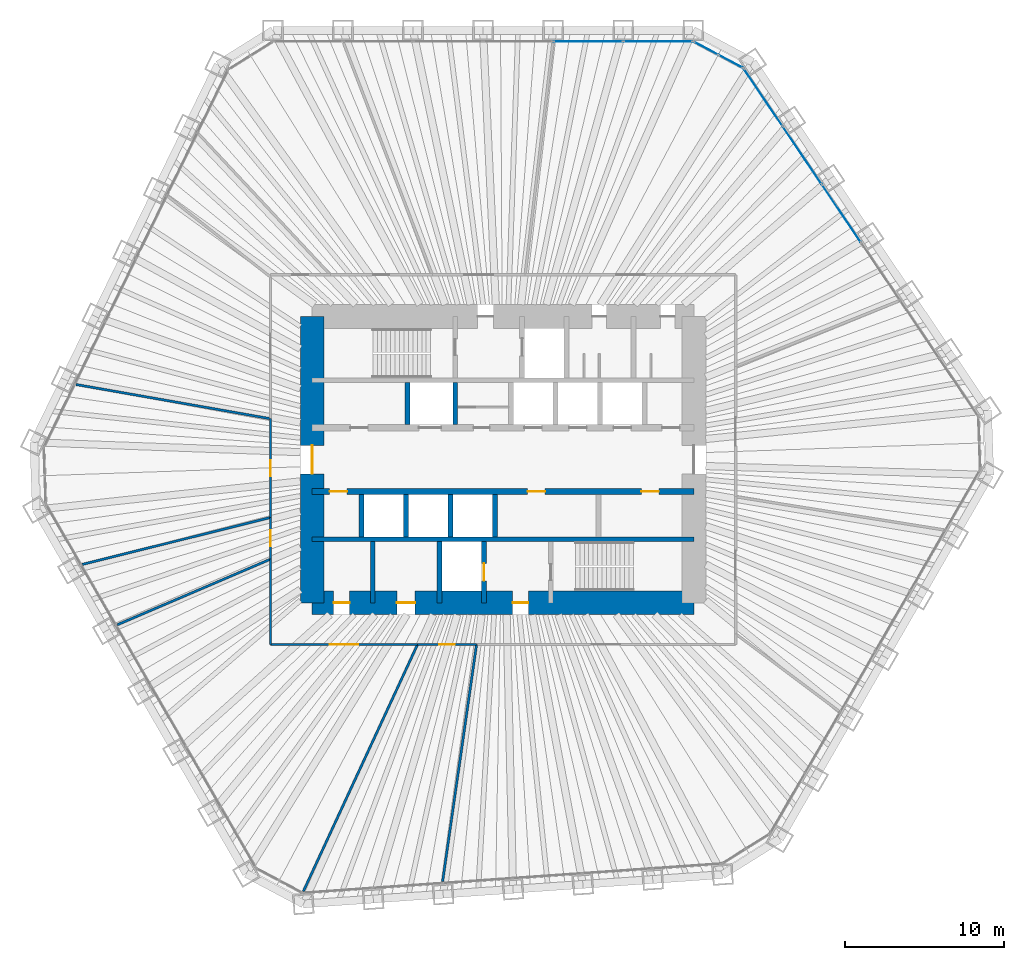
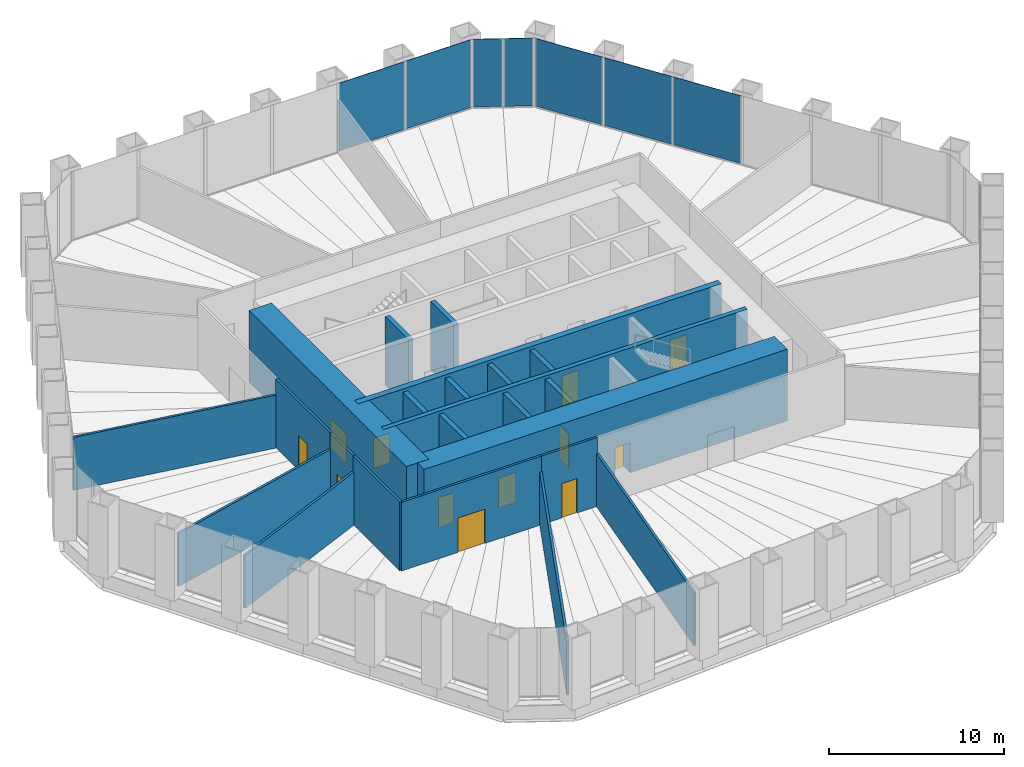
# One storey, part 10 of 13: 23 walls, 12 doors, 7 plates, 12 openings, 3 elements without a shape of their own.
"""IFC4 building model written with IfcOpenShell, lengths in metres."""

from ifc_helpers import new_model, si_unit, direction, frame, frame_2d, origin, origin_2d, place, context, subcontext, project, spatial, rectangle, extrude, material, layer, layer_set, type_object, element, fill, aggregate, save


model = new_model("IFC4")

# Units and contexts
model_context = context("Model", 3, precision=1e-05, world=origin(), true_north=direction((0.0, 1.0)))
body_context = subcontext(model_context, "Body", "Model", "MODEL_VIEW")
ifc_project = project(units=[si_unit("LENGTHUNIT", "METRE"), si_unit("AREAUNIT", "SQUARE_METRE"), si_unit("VOLUMEUNIT", "CUBIC_METRE"), si_unit("PLANEANGLEUNIT", "RADIAN"), si_unit("MASSUNIT", "GRAM", prefix="KILO")], contexts=[model_context])

# Site, building, storey
site_placement = place(None, origin())
site = spatial("IfcSite", under=ifc_project, at=site_placement, CompositionType="ELEMENT")
building_placement = place(site_placement, origin())
building = spatial("IfcBuilding", under=site, at=building_placement, Name="Qingtian Harvest Tower", CompositionType="ELEMENT")
storey_placement = place(building_placement, frame((0.0, 0.0, 37.0)))
storey = spatial("IfcBuildingStorey", under=building, at=storey_placement, Name="L07", CompositionType="ELEMENT", Elevation=37.0)

# Curtain wall, plates
ifc_material_1 = material(Name="Bronze-anodised aluminium curtain wall", Category="aluminium")
curtain_wall_type = type_object("IfcCurtainWallType", Name="Curtain wall CW2 farm reception", PredefinedType="USERDEFINED", material=ifc_material_1)
curtain_wall_1_placement = place(storey_placement, origin())
curtain_wall_1 = element("IfcCurtainWall", 1, at=curtain_wall_1_placement, inside=storey, type_object=curtain_wall_type, Name="Curtain wall CW2 L07 N0-5", ObjectType="RECESSED CURTAIN WALL", PredefinedType="USERDEFINED")
ifc_material_2 = material(Name="Bronze-tinted laminated insulating glass", Category="glass")
ifc_layer_1 = layer(ifc_material_2, 0.030029296875)
ifc_layer_set_1 = layer_set([ifc_layer_1], Name="Glazed panel CWP tinted IGU")
plate_type = type_object("IfcPlateType", Name="Glazed panel CWP tinted IGU", PredefinedType="CURTAIN_PANEL", material=ifc_layer_set_1)
plate_1_placement = place(storey_placement, frame((5.349365234375, 26.300048828125, 0.06494140625), z_axis=(0.0, 0.0, 1.0), x_axis=(1.0, 0.0, 0.0)))
plate_1 = element("IfcPlate", 2, at=plate_1_placement, type_object=plate_type, Name="CW2 panel 5.1", PredefinedType="CURTAIN_PANEL", context=body_context, shape_type="SweptSolid", body=[
    extrude(rectangle(XDim=4.339599609375, YDim=0.030029296875, at=origin_2d()), origin(), (0.0, 0.0, 1.0), 4.735107421875),
])
plate_2_placement = place(storey_placement, frame((9.737548828125, 26.300048828125, 0.06494140625), z_axis=(0.0, 0.0, 1.0), x_axis=(1.0, 0.0, 0.0)))
plate_2 = element("IfcPlate", 3, at=plate_2_placement, type_object=plate_type, Name="CW2 panel 6.1", PredefinedType="CURTAIN_PANEL", context=body_context, shape_type="SweptSolid", body=[
    extrude(rectangle(XDim=4.30712890625, YDim=0.030029296875, at=origin_2d()), origin(), (0.0, 0.0, 1.0), 4.735107421875),
])
aggregate(curtain_wall_1, [plate_1, plate_2])

curtain_wall_2_placement = place(storey_placement, origin())
curtain_wall_2 = element("IfcCurtainWall", 4, at=curtain_wall_2_placement, inside=storey, type_object=curtain_wall_type, Name="Curtain wall CW2 L07 NC", ObjectType="RECESSED CURTAIN WALL", PredefinedType="USERDEFINED")
plate_3_placement = place(storey_placement, frame((12.760986328125, 25.8720703125, 0.06494140625), z_axis=(0.0, 0.0, 1.0), x_axis=(0.882947592859, -0.469471562786, 0.0)))
plate_3 = element("IfcPlate", 5, at=plate_3_placement, type_object=plate_type, Name="CW2 panel 1.1", PredefinedType="CURTAIN_PANEL", context=body_context, shape_type="SweptSolid", body=[
    extrude(rectangle(XDim=1.69287109375, YDim=0.030029296875, at=origin_2d()), origin(), (0.0, 0.0, 1.0), 4.735107421875),
])
plate_4_placement = place(storey_placement, frame((14.31298828125, 25.046875, 0.06494140625), z_axis=(0.0, 0.0, 1.0), x_axis=(0.882947592859, -0.469471562786, 0.0)))
plate_4 = element("IfcPlate", 6, at=plate_4_placement, type_object=plate_type, Name="CW2 panel 2.1", PredefinedType="CURTAIN_PANEL", context=body_context, shape_type="SweptSolid", body=[
    extrude(rectangle(XDim=1.69287109375, YDim=0.030029296875, at=origin_2d()), origin(), (0.0, 0.0, 1.0), 4.735107421875),
])
aggregate(curtain_wall_2, [plate_3, plate_4])

curtain_wall_3_placement = place(storey_placement, origin())
curtain_wall_3 = element("IfcCurtainWall", 7, at=curtain_wall_3_placement, inside=storey, type_object=curtain_wall_type, Name="Curtain wall CW2 L07 NE0-5", ObjectType="RECESSED CURTAIN WALL", PredefinedType="USERDEFINED")
plate_5_placement = place(storey_placement, frame((16.3583984375, 22.779541015625, 0.06494140625), z_axis=(0.0, 0.0, 1.0), x_axis=(0.559192903471, -0.829037572555, 0.0)))
plate_5 = element("IfcPlate", 8, at=plate_5_placement, type_object=plate_type, Name="CW2 panel 1.1", PredefinedType="CURTAIN_PANEL", context=body_context, shape_type="SweptSolid", body=[
    extrude(rectangle(XDim=4.30712890625, YDim=0.030029296875, at=origin_2d()), origin(), (0.0, 0.0, 1.0), 4.735107421875),
])
plate_6_placement = place(storey_placement, frame((18.8125, 19.1416015625, 0.06494140625), z_axis=(0.0, 0.0, 1.0), x_axis=(0.559192903471, -0.829037572555, 0.0)))
plate_6 = element("IfcPlate", 9, at=plate_6_placement, type_object=plate_type, Name="CW2 panel 2.1", PredefinedType="CURTAIN_PANEL", context=body_context, shape_type="SweptSolid", body=[
    extrude(rectangle(XDim=4.339599609375, YDim=0.030029296875, at=origin_2d()), origin(), (0.0, 0.0, 1.0), 4.735107421875),
])
plate_7_placement = place(storey_placement, frame((21.275390625, 15.489990234375, 0.06494140625), z_axis=(0.0, 0.0, 1.0), x_axis=(0.559192903471, -0.829037572555, 0.0)))
plate_7 = element("IfcPlate", 10, at=plate_7_placement, type_object=plate_type, Name="CW2 panel 3.1", PredefinedType="CURTAIN_PANEL", context=body_context, shape_type="SweptSolid", body=[
    extrude(rectangle(XDim=4.339599609375, YDim=0.030029296875, at=origin_2d()), origin(), (0.0, 0.0, 1.0), 4.735107421875),
])
aggregate(curtain_wall_3, [plate_5, plate_6, plate_7])

# Wall
ifc_material_3 = material(Name="Concrete fc' 70 MPa", Category="concrete")
ifc_layer_2 = layer(ifc_material_3, 0.300048828125)
ifc_layer_set_2 = layer_set([ifc_layer_2], Name="Core inner wall RC5 300")
wall_type_1 = type_object("IfcWallType", Name="Core inner wall RC5 300", PredefinedType="SHEAR", material=ifc_layer_set_2)
wall_1_placement = place(storey_placement, frame((-12.0, -5.0, 0.0), z_axis=(0.0, 0.0, 1.0), x_axis=(1.0, 0.0, 0.0)))
element("IfcWall", 11, at=wall_1_placement, inside=storey, type_object=wall_type_1, Name="Core wall IS5 L07", PredefinedType="SHEAR", context=body_context, shape_type="SweptSolid", body=[
    extrude(rectangle(XDim=24.0, YDim=0.300048828125, at=frame_2d((12.0, 0.0))), origin(), (0.0, 0.0, 1.0), 5.0),
])

# Wall, openings, doors
ifc_material_4 = material(Name="Concrete fc' 70 MPa", Category="concrete")
ifc_layer_3 = layer(ifc_material_4, 0.39990234375)
ifc_layer_set_3 = layer_set([ifc_layer_3], Name="Core inner web RC6 400")
wall_type_2 = type_object("IfcWallType", Name="Core inner web RC6 400", PredefinedType="SHEAR", material=ifc_layer_set_3)
wall_2_placement = place(storey_placement, frame((-12.0, -2.0, 0.0), z_axis=(0.0, 0.0, 1.0), x_axis=(1.0, 0.0, 0.0)))
wall_2 = element("IfcWall", 12, at=wall_2_placement, inside=storey, type_object=wall_type_2, Name="Core wall IS2 L07", PredefinedType="SHEAR", context=body_context, shape_type="SweptSolid", body=[
    extrude(rectangle(XDim=24.0, YDim=0.39990234375, at=frame_2d((12.0, 0.0))), origin(), (0.0, 0.0, 1.0), 5.0),
])
opening_1_placement = place(wall_2_placement, frame((1.10009765625, 0.0, 0.0)))
opening_1 = element("IfcOpeningElement", 13, at=opening_1_placement, cuts=wall_2, Name="Opening FD4", PredefinedType="OPENING", context=body_context, shape_type="SweptSolid", body=[
    extrude(rectangle(XDim=1.10009765625, YDim=2.10009765625, at=frame_2d((0.550048828125, 1.050048828125))), frame((0.0, 0.2099609375, 0.0), z_axis=(0.0, -1.0, 0.0), x_axis=(1.0, 0.0, 0.0)), (0.0, 0.0, 1.0), 0.419921875),
])
opening_2_placement = place(wall_2_placement, frame((13.550048828125, 0.0, 0.0)))
opening_2 = element("IfcOpeningElement", 14, at=opening_2_placement, cuts=wall_2, Name="Opening FD4", PredefinedType="OPENING", context=body_context, shape_type="SweptSolid", body=[
    extrude(rectangle(XDim=1.10009765625, YDim=2.10009765625, at=frame_2d((0.550048828125, 1.050048828125))), frame((0.0, 0.2099609375, 0.0), z_axis=(0.0, -1.0, 0.0), x_axis=(1.0, 0.0, 0.0)), (0.0, 0.0, 1.0), 0.419921875),
])
opening_3_placement = place(wall_2_placement, frame((20.699951171875, 0.0, 0.0)))
opening_3 = element("IfcOpeningElement", 15, at=opening_3_placement, cuts=wall_2, Name="Opening FD4", PredefinedType="OPENING", context=body_context, shape_type="SweptSolid", body=[
    extrude(rectangle(XDim=1.10009765625, YDim=2.10009765625, at=frame_2d((0.550048828125, 1.050048828125))), frame((0.0, 0.2099609375, 0.0), z_axis=(0.0, -1.0, 0.0), x_axis=(1.0, 0.0, 0.0)), (0.0, 0.0, 1.0), 0.419921875),
])
ifc_material_5 = material(Name="Steel-faced door leaf", Category="steel")
door_type_1 = type_object("IfcDoorType", Name="Fire door FD4 single 2 HR", OperationType="SINGLE_SWING_LEFT", PredefinedType="DOOR", material=ifc_material_5)
door_1_placement = place(opening_1_placement, origin())
door_1 = element("IfcDoor", 16, at=door_1_placement, inside=storey, type_object=door_type_1, Name="RB door L07", OperationType="SINGLE_SWING_RIGHT", OverallHeight=2.10009765625, OverallWidth=1.10009765625, PredefinedType="DOOR", context=body_context, shape_type="SweptSolid", body=[
    extrude(rectangle(XDim=1.10009765625, YDim=2.10009765625, at=frame_2d((0.550048828125, 1.050048828125))), frame((0.0, 0.02490234375, 0.0), z_axis=(0.0, -1.0, 0.0), x_axis=(1.0, 0.0, 0.0)), (0.0, 0.0, 1.0), 0.050048828125),
])
fill(opening_1, door_1)
door_2_placement = place(opening_2_placement, origin())
door_2 = element("IfcDoor", 17, at=door_2_placement, inside=storey, type_object=door_type_1, Name="ELEC door L07", OperationType="SINGLE_SWING_RIGHT", OverallHeight=2.10009765625, OverallWidth=1.10009765625, PredefinedType="DOOR", context=body_context, shape_type="SweptSolid", body=[
    extrude(rectangle(XDim=1.10009765625, YDim=2.10009765625, at=frame_2d((0.550048828125, 1.050048828125))), frame((0.0, 0.02490234375, 0.0), z_axis=(0.0, -1.0, 0.0), x_axis=(1.0, 0.0, 0.0)), (0.0, 0.0, 1.0), 0.050048828125),
])
fill(opening_2, door_2)
door_3_placement = place(opening_3_placement, origin())
door_3 = element("IfcDoor", 18, at=door_3_placement, inside=storey, type_object=door_type_1, Name="DUCT door L07", OperationType="SINGLE_SWING_LEFT", OverallHeight=2.10009765625, OverallWidth=1.10009765625, PredefinedType="DOOR", context=body_context, shape_type="SweptSolid", body=[
    extrude(rectangle(XDim=1.10009765625, YDim=2.10009765625, at=frame_2d((0.550048828125, 1.050048828125))), frame((0.0, 0.02490234375, 0.0), z_axis=(0.0, -1.0, 0.0), x_axis=(1.0, 0.0, 0.0)), (0.0, 0.0, 1.0), 0.050048828125),
])
fill(opening_3, door_3)

# Walls
ifc_material_6 = material(Name="Precast concrete shaft panel", Category="concrete")
ifc_layer_4 = layer(ifc_material_6, 0.300048828125)
ifc_layer_set_4 = layer_set([ifc_layer_4], Name="Core shaft partition SW1 300")
wall_type_3 = type_object("IfcWallType", Name="Core shaft partition SW1 300", PredefinedType="PARTITIONING", material=ifc_layer_set_4)
for number, where, z_axis, x_axis, name in (
    (19, (-6.0, 2.199951171875, 0.0), (0.0, 0.0, 1.0), (0.0, 1.0, 0.0), "Core shaft partition XA1 L07"),
    (20, (-3.0, 2.199951171875, 0.0), (0.0, 0.0, 1.0), (0.0, 1.0, 0.0), "Core shaft partition XA2 L07"),
    (21, (-8.89990234375, -4.85009765625, 0.0), (0.0, 0.0, 1.0), (0.0, 1.0, 0.0), "Core shaft partition XB1 L07"),
    (22, (-6.10009765625, -4.85009765625, 0.0), (0.0, 0.0, 1.0), (0.0, 1.0, 0.0), "Core shaft partition XB2 L07"),
    (23, (-3.300048828125, -4.85009765625, 0.0), (0.0, 0.0, 1.0), (0.0, 1.0, 0.0), "Core shaft partition XB3 L07"),
    (24, (-0.5, -4.85009765625, 0.0), (0.0, 0.0, 1.0), (0.0, 1.0, 0.0), "Core shaft partition XB4 L07"),
):
    element("IfcWall", number, at=place(storey_placement, frame(where, z_axis=z_axis, x_axis=x_axis)), inside=storey, type_object=wall_type_3, Name=name, PredefinedType="PARTITIONING", context=body_context, shape_type="SweptSolid", body=[
        extrude(rectangle(XDim=2.650146484375, YDim=0.300048828125, at=frame_2d((1.3251953125, 0.0))), origin(), (0.0, 0.0, 1.0), 4.780029296875),
    ])
for number, where, z_axis, x_axis, name in (
    (25, (-8.199951171875, -9.0, 0.0), (0.0, 0.0, 1.0), (0.0, 1.0, 0.0), "Core shaft partition XS1 L07"),
    (26, (-4.0, -9.0, 0.0), (0.0, 0.0, 1.0), (0.0, 1.0, 0.0), "Core shaft partition XS2 L07"),
):
    element("IfcWall", number, at=place(storey_placement, frame(where, z_axis=z_axis, x_axis=x_axis)), inside=storey, type_object=wall_type_3, Name=name, PredefinedType="PARTITIONING", context=body_context, shape_type="SweptSolid", body=[
        extrude(rectangle(XDim=3.85009765625, YDim=0.300048828125, at=frame_2d((1.925048828125, 0.0))), origin(), (0.0, 0.0, 1.0), 4.780029296875),
    ])

# Wall, opening, door
wall_3_placement = place(storey_placement, frame((-1.199951171875, -9.0, 0.0), z_axis=(0.0, 0.0, 1.0), x_axis=(0.0, 1.0, 0.0)))
wall_3 = element("IfcWall", 27, at=wall_3_placement, inside=storey, type_object=wall_type_3, Name="Core shaft partition XS3 L07", PredefinedType="PARTITIONING", context=body_context, shape_type="SweptSolid", body=[
    extrude(rectangle(XDim=3.85009765625, YDim=0.300048828125, at=frame_2d((1.925048828125, 0.0))), origin(), (0.0, 0.0, 1.0), 4.780029296875),
])
opening_4_placement = place(wall_3_placement, frame((1.375, 0.0, 0.0)))
opening_4 = element("IfcOpeningElement", 28, at=opening_4_placement, cuts=wall_3, Name="Opening LD1", PredefinedType="OPENING", context=body_context, shape_type="SweptSolid", body=[
    extrude(rectangle(XDim=1.10009765625, YDim=2.39990234375, at=frame_2d((0.550048828125, 1.199951171875))), frame((0.0, 0.159912109375, 0.0), z_axis=(0.0, -1.0, 0.0), x_axis=(1.0, 0.0, 0.0)), (0.0, 0.0, 1.0), 0.320068359375),
])
ifc_material_7 = material(Name="Stainless steel lift landing door", Category="steel")
door_type_2 = type_object("IfcDoorType", Name="Lift landing door LD1 1 HR", OperationType="DOUBLE_DOOR_SLIDING", PredefinedType="DOOR", material=ifc_material_7)
door_4_placement = place(opening_4_placement, origin())
door_4 = element("IfcDoor", 29, at=door_4_placement, inside=storey, type_object=door_type_2, Name="FL2 landing door L07", OperationType="DOUBLE_DOOR_SLIDING", OverallHeight=2.39990234375, OverallWidth=1.10009765625, PredefinedType="DOOR", context=body_context, shape_type="SweptSolid", body=[
    extrude(rectangle(XDim=1.10009765625, YDim=2.39990234375, at=frame_2d((0.550048828125, 1.199951171875))), frame((0.0, 0.02490234375, 0.0), z_axis=(0.0, -1.0, 0.0), x_axis=(1.0, 0.0, 0.0)), (0.0, 0.0, 1.0), 0.050048828125),
])
fill(opening_4, door_4)

# Wall, openings, doors
ifc_material_8 = material(Name="Concrete fc' 70 MPa", Category="concrete")
ifc_layer_5 = layer(ifc_material_8, 1.5)
ifc_layer_set_5 = layer_set([ifc_layer_5], Name="Core wall RC1 1500")
wall_type_4 = type_object("IfcWallType", Name="Core wall RC1 1500", PredefinedType="SHEAR", material=ifc_layer_set_5)
wall_4_placement = place(storey_placement, frame((-12.0, -9.0, 0.0), z_axis=(0.0, 0.0, 1.0), x_axis=(1.0, 0.0, 0.0)))
wall_4 = element("IfcWall", 30, at=wall_4_placement, inside=storey, type_object=wall_type_4, Name="Core wall CS L07", PredefinedType="SHEAR", context=body_context, shape_type="SweptSolid", body=[
    extrude(rectangle(XDim=24.0, YDim=1.5, at=frame_2d((12.0, 0.0))), origin(), (0.0, 0.0, 1.0), 5.0),
])
opening_5_placement = place(wall_4_placement, frame((1.35009765625, 0.0, 0.0)))
opening_5 = element("IfcOpeningElement", 31, at=opening_5_placement, cuts=wall_4, Name="Opening FD1", PredefinedType="OPENING", context=body_context, shape_type="SweptSolid", body=[
    extrude(rectangle(XDim=1.0, YDim=2.10009765625, at=frame_2d((0.5, 1.050048828125))), frame((0.0, 0.760009765625, 0.0), z_axis=(0.0, -1.0, 0.0), x_axis=(1.0, 0.0, 0.0)), (0.0, 0.0, 1.0), 1.52001953125),
])
opening_6_placement = place(wall_4_placement, frame((5.324951171875, 0.0, 0.0)))
opening_6 = element("IfcOpeningElement", 32, at=opening_6_placement, cuts=wall_4, Name="Opening AD1", PredefinedType="OPENING", context=body_context, shape_type="SweptSolid", body=[
    extrude(rectangle(XDim=1.14990234375, YDim=2.10009765625, at=frame_2d((0.574951171875, 1.050048828125))), frame((0.0, 0.760009765625, 0.0), z_axis=(0.0, -1.0, 0.0), x_axis=(1.0, 0.0, 0.0)), (0.0, 0.0, 1.0), 1.52001953125),
])
opening_7_placement = place(wall_4_placement, frame((12.60009765625, 0.0, 0.0)))
opening_7 = element("IfcOpeningElement", 33, at=opening_7_placement, cuts=wall_4, Name="Opening FD1", PredefinedType="OPENING", context=body_context, shape_type="SweptSolid", body=[
    extrude(rectangle(XDim=1.0, YDim=2.10009765625, at=frame_2d((0.5, 1.050048828125))), frame((0.0, 0.760009765625, 0.0), z_axis=(0.0, -1.0, 0.0), x_axis=(1.0, 0.0, 0.0)), (0.0, 0.0, 1.0), 1.52001953125),
])
ifc_material_9 = material(Name="Laminated timber door leaf", Category="wood")
door_type_3 = type_object("IfcDoorType", Name="Accessible WC door AD1 single", OperationType="SINGLE_SWING_LEFT", PredefinedType="DOOR", material=ifc_material_9)
door_5_placement = place(opening_6_placement, origin())
door_5 = element("IfcDoor", 34, at=door_5_placement, inside=storey, type_object=door_type_3, Name="AWC door L07", OperationType="SINGLE_SWING_RIGHT", OverallHeight=2.10009765625, OverallWidth=1.14990234375, PredefinedType="DOOR", context=body_context, shape_type="SweptSolid", body=[
    extrude(rectangle(XDim=1.14990234375, YDim=2.10009765625, at=frame_2d((0.574951171875, 1.050048828125))), frame((0.0, 0.02490234375, 0.0), z_axis=(0.0, -1.0, 0.0), x_axis=(1.0, 0.0, 0.0)), (0.0, 0.0, 1.0), 0.050048828125),
])
fill(opening_6, door_5)
ifc_material_10 = material(Name="Steel-faced door leaf", Category="steel")
door_type_4 = type_object("IfcDoorType", Name="Fire door FD1 single 1 HR", OperationType="SINGLE_SWING_LEFT", PredefinedType="DOOR", material=ifc_material_10)
door_6_placement = place(opening_5_placement, origin())
door_6 = element("IfcDoor", 35, at=door_6_placement, inside=storey, type_object=door_type_4, Name="CLN door L07", OperationType="SINGLE_SWING_LEFT", OverallHeight=2.10009765625, OverallWidth=1.0, PredefinedType="DOOR", context=body_context, shape_type="SweptSolid", body=[
    extrude(rectangle(XDim=1.0, YDim=2.10009765625, at=frame_2d((0.5, 1.050048828125))), frame((0.0, 0.02490234375, 0.0), z_axis=(0.0, -1.0, 0.0), x_axis=(1.0, 0.0, 0.0)), (0.0, 0.0, 1.0), 0.050048828125),
])
fill(opening_5, door_6)
door_7_placement = place(opening_7_placement, origin())
door_7 = element("IfcDoor", 36, at=door_7_placement, inside=storey, type_object=door_type_4, Name="V2 door L07", OperationType="SINGLE_SWING_LEFT", OverallHeight=2.10009765625, OverallWidth=1.0, PredefinedType="DOOR", context=body_context, shape_type="SweptSolid", body=[
    extrude(rectangle(XDim=1.0, YDim=2.10009765625, at=frame_2d((0.5, 1.050048828125))), frame((0.0, 0.02490234375, 0.0), z_axis=(0.0, -1.0, 0.0), x_axis=(1.0, 0.0, 0.0)), (0.0, 0.0, 1.0), 0.050048828125),
])
fill(opening_7, door_7)

# Wall, opening, door
wall_5_placement = place(storey_placement, frame((-12.0, -9.0, 0.0), z_axis=(0.0, 0.0, 1.0), x_axis=(0.0, 1.0, 0.0)))
wall_5 = element("IfcWall", 37, at=wall_5_placement, inside=storey, type_object=wall_type_4, Name="Core wall CW L07", PredefinedType="SHEAR", context=body_context, shape_type="SweptSolid", body=[
    extrude(rectangle(XDim=18.0, YDim=1.5, at=frame_2d((9.0, 0.0))), origin(), (0.0, 0.0, 1.0), 5.0),
])
opening_8_placement = place(wall_5_placement, frame((8.10009765625, 0.0, 0.0)))
opening_8 = element("IfcOpeningElement", 38, at=opening_8_placement, cuts=wall_5, Name="Opening FD2", PredefinedType="OPENING", context=body_context, shape_type="SweptSolid", body=[
    extrude(rectangle(XDim=1.800048828125, YDim=2.10009765625, at=frame_2d((0.89990234375, 1.050048828125))), frame((0.0, 0.760009765625, 0.0), z_axis=(0.0, -1.0, 0.0), x_axis=(1.0, 0.0, 0.0)), (0.0, 0.0, 1.0), 1.52001953125),
])
ifc_material_11 = material(Name="Steel-faced door leaf", Category="steel")
door_type_5 = type_object("IfcDoorType", Name="Fire door FD2 double 1 HR", OperationType="DOUBLE_DOOR_DOUBLE_SWING", PredefinedType="DOOR", material=ifc_material_11)
door_8_placement = place(opening_8_placement, origin())
door_8 = element("IfcDoor", 39, at=door_8_placement, inside=storey, type_object=door_type_5, Name="LOBBY-W door L07", OperationType="DOUBLE_DOOR_DOUBLE_SWING", OverallHeight=2.10009765625, OverallWidth=1.800048828125, PredefinedType="DOOR", context=body_context, shape_type="SweptSolid", body=[
    extrude(rectangle(XDim=1.800048828125, YDim=2.10009765625, at=frame_2d((0.89990234375, 1.050048828125))), frame((0.0, 0.02490234375, 0.0), z_axis=(0.0, -1.0, 0.0), x_axis=(1.0, 0.0, 0.0)), (0.0, 0.0, 1.0), 0.050048828125),
])
fill(opening_8, door_8)

# Wall
ifc_material_12 = material(Name="Gypsum board on steel studs", Category="steel")
ifc_layer_6 = layer(ifc_material_12, 0.14990234375)
ifc_layer_set_6 = layer_set([ifc_layer_6], Name="Partition PT1 150")
wall_type_5 = type_object("IfcWallType", Name="Partition PT1 150", PredefinedType="PARTITIONING", material=ifc_layer_set_6)
wall_6_placement = place(storey_placement, frame((-3.7998046875, -26.531982421875, 0.0), z_axis=(0.0, 0.0, 1.0), x_axis=(0.14177542097, 0.989898848372, 0.0)))
element("IfcWall", 40, at=wall_6_placement, inside=storey, type_object=wall_type_5, Name="Nutrient dosing room wall L07", PredefinedType="PARTITIONING", context=body_context, shape_type="SweptSolid", body=[
    extrude(rectangle(XDim=15.05908203125, YDim=0.14990234375, at=frame_2d((7.529541015625, 0.0))), origin(), (0.0, 0.0, 1.0), 3.699951171875),
])

# Wall, opening, door
wall_7_placement = place(storey_placement, frame((-1.664794921875, -11.625, 0.0), z_axis=(0.0, 0.0, 1.0), x_axis=(-1.0, 0.0, 0.0)))
wall_7 = element("IfcWall", 41, at=wall_7_placement, inside=storey, type_object=wall_type_5, Name="Nutrient dosing room wall L07", PredefinedType="PARTITIONING", context=body_context, shape_type="SweptSolid", body=[
    extrude(rectangle(XDim=3.7119140625, YDim=0.14990234375, at=frame_2d((1.85595703125, 0.0))), origin(), (0.0, 0.0, 1.0), 4.800048828125),
])
opening_9_placement = place(wall_7_placement, frame((1.35595703125, 0.0, 0.0)))
opening_9 = element("IfcOpeningElement", 42, at=opening_9_placement, cuts=wall_7, Name="Opening D2", PredefinedType="OPENING", context=body_context, shape_type="SweptSolid", body=[
    extrude(rectangle(XDim=1.0, YDim=2.39990234375, at=frame_2d((0.5, 1.199951171875))), frame((0.0, 0.0849609375, 0.0), z_axis=(0.0, -1.0, 0.0), x_axis=(1.0, 0.0, 0.0)), (0.0, 0.0, 1.0), 0.169921875),
])
ifc_material_13 = material(Name="Laminated timber door leaf", Category="wood")
door_type_6 = type_object("IfcDoorType", Name="Room door D2 single", OperationType="SINGLE_SWING_LEFT", PredefinedType="DOOR", material=ifc_material_13)
door_9_placement = place(opening_9_placement, origin())
door_9 = element("IfcDoor", 43, at=door_9_placement, inside=storey, type_object=door_type_6, Name="Nutrient dosing room door L07", OperationType="SINGLE_SWING_LEFT", OverallHeight=2.39990234375, OverallWidth=1.0, PredefinedType="DOOR", context=body_context, shape_type="SweptSolid", body=[
    extrude(rectangle(XDim=1.0, YDim=2.39990234375, at=frame_2d((0.5, 1.199951171875))), frame((0.0, 0.02490234375, 0.0), z_axis=(0.0, -1.0, 0.0), x_axis=(1.0, 0.0, 0.0)), (0.0, 0.0, 1.0), 0.050048828125),
])
fill(opening_9, door_9)

# Wall
wall_8_placement = place(storey_placement, frame((-12.5595703125, -27.154541015625, 0.0), z_axis=(0.0, 0.0, 1.0), x_axis=(0.419799104875, 0.907617051154, 0.0)))
element("IfcWall", 44, at=wall_8_placement, inside=storey, type_object=wall_type_5, Name="Lettuce growing room wall L07", PredefinedType="PARTITIONING", context=body_context, shape_type="SweptSolid", body=[
    extrude(rectangle(XDim=17.1103515625, YDim=0.14990234375, at=frame_2d((8.55517578125, 0.0))), origin(), (0.0, 0.0, 1.0), 3.699951171875),
])

# Wall, opening, door
wall_9_placement = place(storey_placement, frame((-5.376708984375, -11.625, 0.0), z_axis=(0.0, 0.0, 1.0), x_axis=(-1.0, 0.0, 0.0)))
wall_9 = element("IfcWall", 45, at=wall_9_placement, inside=storey, type_object=wall_type_5, Name="Lettuce growing room wall L07", PredefinedType="PARTITIONING", context=body_context, shape_type="SweptSolid", body=[
    extrude(rectangle(XDim=9.248291015625, YDim=0.14990234375, at=frame_2d((4.6240234375, 0.0))), origin(), (0.0, 0.0, 1.0), 4.800048828125),
])
opening_10_placement = place(wall_9_placement, frame((3.72412109375, 0.0, 0.0)))
opening_10 = element("IfcOpeningElement", 46, at=opening_10_placement, cuts=wall_9, Name="Opening D3", PredefinedType="OPENING", context=body_context, shape_type="SweptSolid", body=[
    extrude(rectangle(XDim=1.800048828125, YDim=2.39990234375, at=frame_2d((0.89990234375, 1.199951171875))), frame((0.0, 0.0849609375, 0.0), z_axis=(0.0, -1.0, 0.0), x_axis=(1.0, 0.0, 0.0)), (0.0, 0.0, 1.0), 0.169921875),
])
ifc_material_14 = material(Name="Laminated timber door leaf", Category="wood")
door_type_7 = type_object("IfcDoorType", Name="Room door D3 double", OperationType="DOUBLE_DOOR_DOUBLE_SWING", PredefinedType="DOOR", material=ifc_material_14)
door_10_placement = place(opening_10_placement, origin())
door_10 = element("IfcDoor", 47, at=door_10_placement, inside=storey, type_object=door_type_7, Name="Lettuce growing room door L07", OperationType="DOUBLE_DOOR_DOUBLE_SWING", OverallHeight=2.39990234375, OverallWidth=1.800048828125, PredefinedType="DOOR", context=body_context, shape_type="SweptSolid", body=[
    extrude(rectangle(XDim=1.800048828125, YDim=2.39990234375, at=frame_2d((0.89990234375, 1.199951171875))), frame((0.0, 0.02490234375, 0.0), z_axis=(0.0, -1.0, 0.0), x_axis=(1.0, 0.0, 0.0)), (0.0, 0.0, 1.0), 0.050048828125),
])
fill(opening_10, door_10)

# Walls
wall_10_placement = place(storey_placement, frame((-14.625, -11.625, 0.0), z_axis=(0.0, 0.0, 1.0), x_axis=(0.0, 1.0, 0.0)))
element("IfcWall", 48, at=wall_10_placement, inside=storey, type_object=wall_type_5, Name="Lettuce growing room wall L07", PredefinedType="PARTITIONING", context=body_context, shape_type="SweptSolid", body=[
    extrude(rectangle(XDim=5.36376953125, YDim=0.14990234375, at=frame_2d((2.681884765625, 0.0))), origin(), (0.0, 0.0, 1.0), 4.800048828125),
])
wall_11_placement = place(storey_placement, frame((-24.258056640625, -10.38525390625, 0.0), z_axis=(0.0, 0.0, 1.0), x_axis=(0.919298009201, 0.393562155547, 0.0)))
element("IfcWall", 49, at=wall_11_placement, inside=storey, type_object=wall_type_5, Name="Gowning room wall L07", PredefinedType="PARTITIONING", context=body_context, shape_type="SweptSolid", body=[
    extrude(rectangle(XDim=10.478759765625, YDim=0.14990234375, at=frame_2d((5.2392578125, 0.0))), origin(), (0.0, 0.0, 1.0), 3.699951171875),
])

# Wall, opening, door
wall_12_placement = place(storey_placement, frame((-14.625, -6.26123046875, 0.0), z_axis=(0.0, 0.0, 1.0), x_axis=(0.0, 1.0, 0.0)))
wall_12 = element("IfcWall", 50, at=wall_12_placement, inside=storey, type_object=wall_type_5, Name="Gowning room wall L07", PredefinedType="PARTITIONING", context=body_context, shape_type="SweptSolid", body=[
    extrude(rectangle(XDim=2.620361328125, YDim=0.14990234375, at=frame_2d((1.31005859375, 0.0))), origin(), (0.0, 0.0, 1.0), 4.800048828125),
])
opening_11_placement = place(wall_12_placement, frame((0.81005859375, 0.0, 0.0)))
opening_11 = element("IfcOpeningElement", 51, at=opening_11_placement, cuts=wall_12, Name="Opening D2", PredefinedType="OPENING", context=body_context, shape_type="SweptSolid", body=[
    extrude(rectangle(XDim=1.0, YDim=2.39990234375, at=frame_2d((0.5, 1.199951171875))), frame((0.0, 0.0849609375, 0.0), z_axis=(0.0, -1.0, 0.0), x_axis=(1.0, 0.0, 0.0)), (0.0, 0.0, 1.0), 0.169921875),
])
door_11_placement = place(opening_11_placement, origin())
door_11 = element("IfcDoor", 52, at=door_11_placement, inside=storey, type_object=door_type_6, Name="Gowning room door L07", OperationType="SINGLE_SWING_RIGHT", OverallHeight=2.39990234375, OverallWidth=1.0, PredefinedType="DOOR", context=body_context, shape_type="SweptSolid", body=[
    extrude(rectangle(XDim=1.0, YDim=2.39990234375, at=frame_2d((0.5, 1.199951171875))), frame((0.0, 0.02490234375, 0.0), z_axis=(0.0, -1.0, 0.0), x_axis=(1.0, 0.0, 0.0)), (0.0, 0.0, 1.0), 0.050048828125),
])
fill(opening_11, door_11)

# Wall
wall_13_placement = place(storey_placement, frame((-26.455322265625, -6.5859375, 0.0), z_axis=(0.0, 0.0, 1.0), x_axis=(0.970383505188, 0.241569561118, 0.0)))
element("IfcWall", 53, at=wall_13_placement, inside=storey, type_object=wall_type_5, Name="Harvest wash room wall L07", PredefinedType="PARTITIONING", context=body_context, shape_type="SweptSolid", body=[
    extrude(rectangle(XDim=12.19140625, YDim=0.14990234375, at=frame_2d((6.095703125, 0.0))), origin(), (0.0, 0.0, 1.0), 3.699951171875),
])

# Wall, opening, door
wall_14_placement = place(storey_placement, frame((-14.625, -3.640869140625, 0.0), z_axis=(0.0, 0.0, 1.0), x_axis=(0.0, 1.0, 0.0)))
wall_14 = element("IfcWall", 54, at=wall_14_placement, inside=storey, type_object=wall_type_5, Name="Harvest wash room wall L07", PredefinedType="PARTITIONING", context=body_context, shape_type="SweptSolid", body=[
    extrude(rectangle(XDim=6.21435546875, YDim=0.14990234375, at=frame_2d((3.107177734375, 0.0))), origin(), (0.0, 0.0, 1.0), 4.800048828125),
])
opening_12_placement = place(wall_14_placement, frame((2.607177734375, 0.0, 0.0)))
opening_12 = element("IfcOpeningElement", 55, at=opening_12_placement, cuts=wall_14, Name="Opening D2", PredefinedType="OPENING", context=body_context, shape_type="SweptSolid", body=[
    extrude(rectangle(XDim=1.0, YDim=2.39990234375, at=frame_2d((0.5, 1.199951171875))), frame((0.0, 0.0849609375, 0.0), z_axis=(0.0, -1.0, 0.0), x_axis=(1.0, 0.0, 0.0)), (0.0, 0.0, 1.0), 0.169921875),
])
door_12_placement = place(opening_12_placement, origin())
door_12 = element("IfcDoor", 56, at=door_12_placement, inside=storey, type_object=door_type_6, Name="Harvest wash room door L07", OperationType="SINGLE_SWING_RIGHT", OverallHeight=2.39990234375, OverallWidth=1.0, PredefinedType="DOOR", context=body_context, shape_type="SweptSolid", body=[
    extrude(rectangle(XDim=1.0, YDim=2.39990234375, at=frame_2d((0.5, 1.199951171875))), frame((0.0, 0.02490234375, 0.0), z_axis=(0.0, -1.0, 0.0), x_axis=(1.0, 0.0, 0.0)), (0.0, 0.0, 1.0), 0.050048828125),
])
fill(opening_12, door_12)

# Wall
wall_15_placement = place(storey_placement, frame((-26.85009765625, 4.724609375, 0.0), z_axis=(0.0, 0.0, 1.0), x_axis=(0.984869569104, -0.173297235559, 0.0)))
element("IfcWall", 57, at=wall_15_placement, inside=storey, type_object=wall_type_5, Name="Packing room wall L07", PredefinedType="PARTITIONING", context=body_context, shape_type="SweptSolid", body=[
    extrude(rectangle(XDim=12.412841796875, YDim=0.14990234375, at=frame_2d((6.20654296875, 0.0))), origin(), (0.0, 0.0, 1.0), 3.699951171875),
])

save(model, "model.ifc")
